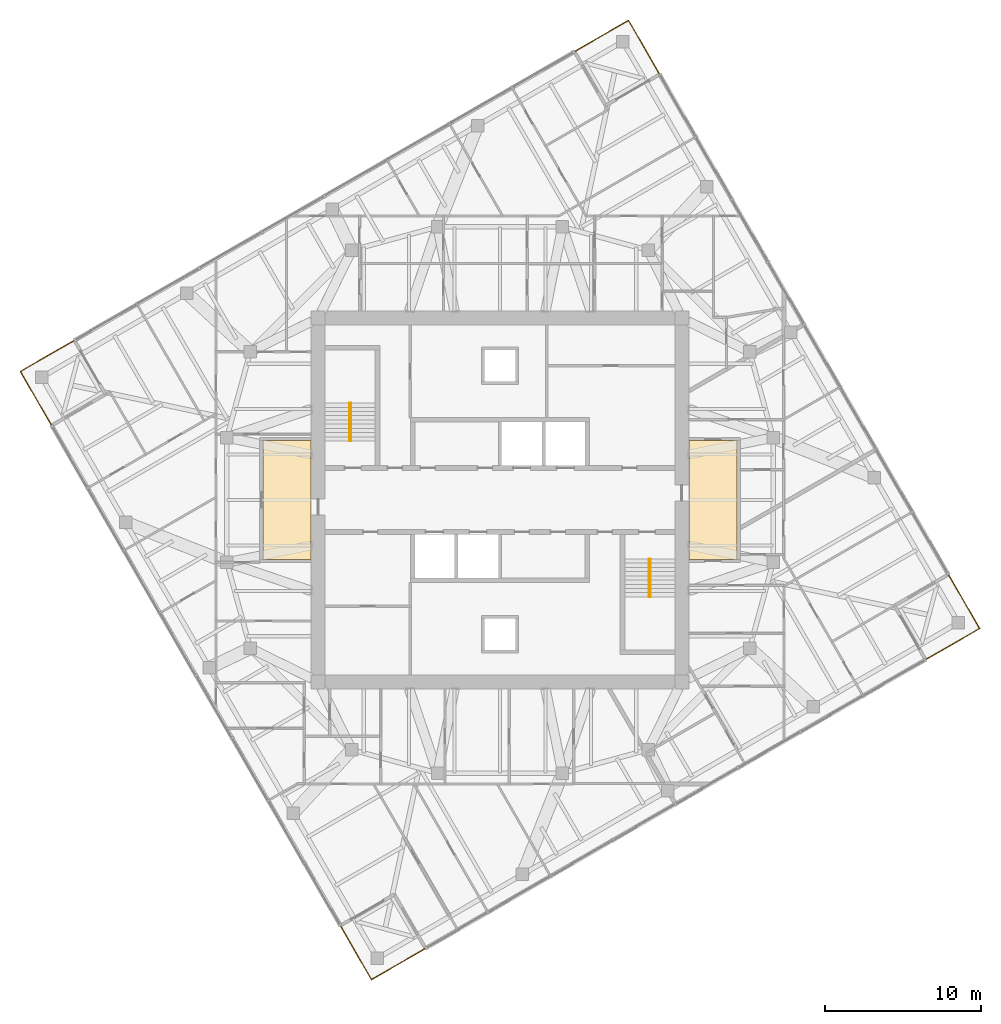
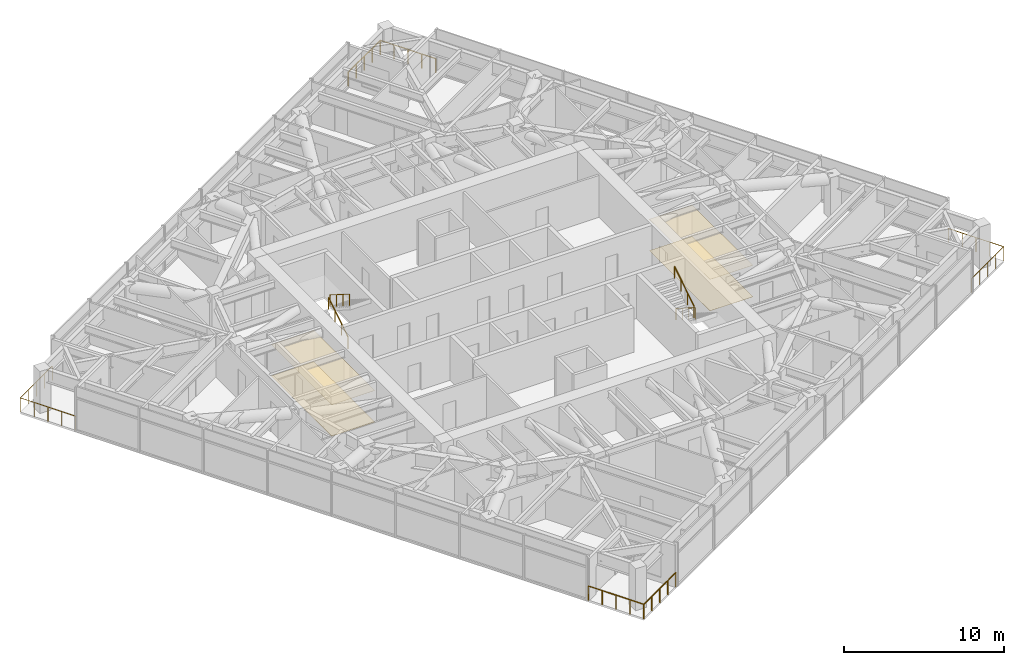
# One storey, part 16 of 16: 8 railings, 4 coverings, 2 elements without a shape of their own.
"""IFC4 building model written with IfcOpenShell, lengths in metres."""

from ifc_helpers import new_model, si_unit, direction, frame, origin, origin_2d, place, context, subcontext, project, spatial, polyline, circle, outline, extrude, material, layer, layer_set, type_object, element, aggregate, save


model = new_model("IFC4")

# Units and contexts
model_context = context("Model", 3, precision=1e-05, world=origin(), true_north=direction((0.0, 1.0)))
body_context = subcontext(model_context, "Body", "Model", "MODEL_VIEW")
ifc_project = project(units=[si_unit("LENGTHUNIT", "METRE"), si_unit("AREAUNIT", "SQUARE_METRE"), si_unit("VOLUMEUNIT", "CUBIC_METRE"), si_unit("PLANEANGLEUNIT", "RADIAN"), si_unit("MASSUNIT", "GRAM", prefix="KILO")], contexts=[model_context])

# Site, building, storey
site_placement = place(None, origin())
site = spatial("IfcSite", under=ifc_project, at=site_placement, CompositionType="ELEMENT")
building_placement = place(site_placement, origin())
building = spatial("IfcBuilding", under=site, at=building_placement, Name="Torsade Residences", CompositionType="ELEMENT")
storey_placement = place(building_placement, frame((0.0, 0.0, 232.0)))
storey = spatial("IfcBuildingStorey", under=building, at=storey_placement, Name="L64", CompositionType="ELEMENT", Elevation=232.0)

# Coverings
ifc_material_1 = material(Name="Nylon carpet tile on underlay", Category="textile")
ifc_layer_1 = layer(ifc_material_1, 0.010009765625)
ifc_layer_set_1 = layer_set([ifc_layer_1], Name="Nylon carpet tile on underlay")
covering_type_1 = type_object("IfcCoveringType", Name="CORRIDOR CARPET TILE 10", PredefinedType="FLOORING", material=ifc_layer_set_1)
covering_1_placement = place(storey_placement, origin())
element("IfcCovering", 1, at=covering_1_placement, inside=storey, type_object=covering_type_1, Name="Corridor carpet L64", PredefinedType="FLOORING", context=body_context, shape_type="SweptSolid", body=[
    extrude(outline(polyline([(55.199951171875, 26.199951171875), (55.199951171875, 33.800048828125), (52.10009765625, 33.800048828125), (52.10009765625, 26.199951171875), (55.199951171875, 26.199951171875)])), origin(), (0.0, 0.0, 1.0), 0.010009765625),
])
covering_2_placement = place(storey_placement, origin())
element("IfcCovering", 2, at=covering_2_placement, inside=storey, type_object=covering_type_1, Name="Corridor carpet west L64", PredefinedType="FLOORING", context=body_context, shape_type="SweptSolid", body=[
    extrude(outline(polyline([(27.89990234375, 26.199951171875), (27.89990234375, 33.800048828125), (24.800048828125, 33.800048828125), (24.800048828125, 26.199951171875), (27.89990234375, 26.199951171875)])), origin(), (0.0, 0.0, 1.0), 0.010009765625),
])
ifc_material_2 = material(Name="Plasterboard on suspended steel grid", Category="steel")
ifc_layer_2 = layer(ifc_material_2, 0.012939453125)
ifc_layer_set_2 = layer_set([ifc_layer_2], Name="Plasterboard on suspended steel grid")
covering_type_2 = type_object("IfcCoveringType", Name="CORRIDOR SUSPENDED CEILING 13", PredefinedType="CEILING", material=ifc_layer_set_2)
covering_3_placement = place(storey_placement, frame((0.0, 0.0, 2.39990234375)))
element("IfcCovering", 3, at=covering_3_placement, inside=storey, type_object=covering_type_2, Name="Corridor ceiling L64", PredefinedType="CEILING", context=body_context, shape_type="SweptSolid", body=[
    extrude(outline(polyline([(55.199951171875, 26.199951171875), (55.199951171875, 33.800048828125), (52.10009765625, 33.800048828125), (52.10009765625, 26.199951171875), (55.199951171875, 26.199951171875)])), origin(), (0.0, 0.0, 1.0), 0.01318359375),
])
covering_4_placement = place(storey_placement, frame((0.0, 0.0, 2.39990234375)))
element("IfcCovering", 4, at=covering_4_placement, inside=storey, type_object=covering_type_2, Name="Corridor ceiling west L64", PredefinedType="CEILING", context=body_context, shape_type="SweptSolid", body=[
    extrude(outline(polyline([(27.89990234375, 26.199951171875), (27.89990234375, 33.800048828125), (24.800048828125, 33.800048828125), (24.800048828125, 26.199951171875), (27.89990234375, 26.199951171875)])), origin(), (0.0, 0.0, 1.0), 0.01318359375),
])

# Stair, railings
ifc_material_3 = material(Name="Precast concrete 40 MPa", Category="concrete")
stair_type = type_object("IfcStairType", Name="HALF-TURN FIRE STAIR 1500x3400", PredefinedType="HALF_TURN_STAIR", material=ifc_material_3)
stair_1_placement = place(storey_placement, origin())
stair_1 = element("IfcStair", 5, at=stair_1_placement, inside=storey, type_object=stair_type, Name="Stair ST1 L64", PredefinedType="HALF_TURN_STAIR")
ifc_material_4 = material(Name="Steel handrail", Category="steel")
railing_type_1 = type_object("IfcRailingType", Name="STAIR HANDRAIL 900", PredefinedType="HANDRAIL", material=ifc_material_4)
railing_1_placement = place(storey_placement, frame((30.35009765625, 33.780029296875, 0.169921875)))
railing_1 = element("IfcRailing", 6, at=railing_1_placement, type_object=railing_type_1, Name="Handrail ST1 flight 1 L64", PredefinedType="HANDRAIL", context=body_context, shape_type="SweptSolid", body=[
    extrude(circle(Radius=0.02392578125, at=origin_2d()), frame((0.0, 0.0, 0.8759765625), z_axis=(0.0, 0.846221481393, 0.532831309544), x_axis=(-1.0, 0.0, 0.0)), (0.0, 0.0, 1.0), 2.87158203125),
    extrude(circle(Radius=0.02099609375, at=origin_2d()), origin(), (0.0, 0.0, 1.0), 0.851806640625),
    extrude(circle(Radius=0.02099609375, at=origin_2d()), frame((0.0, 0.81005859375, 0.510009765625)), (0.0, 0.0, 1.0), 0.851806640625),
    extrude(circle(Radius=0.02099609375, at=origin_2d()), frame((0.0, 1.619873046875, 1.02001953125)), (0.0, 0.0, 1.0), 0.851806640625),
    extrude(circle(Radius=0.02099609375, at=origin_2d()), frame((0.0, 2.429931640625, 1.530029296875)), (0.0, 0.0, 1.0), 0.851806640625),
])
railing_2_placement = place(storey_placement, frame((30.449951171875, 36.2099609375, 1.8701171875)))
railing_2 = element("IfcRailing", 7, at=railing_2_placement, type_object=railing_type_1, Name="Handrail ST1 flight 2 L64", PredefinedType="HANDRAIL", context=body_context, shape_type="SweptSolid", body=[
    extrude(circle(Radius=0.02392578125, at=origin_2d()), frame((0.0, 0.0, 0.8759765625), z_axis=(0.0, -0.846259816676, 0.532770422113), x_axis=(1.0, 0.0, 0.0)), (0.0, 0.0, 1.0), 2.871337890625),
    extrude(circle(Radius=0.02099609375, at=origin_2d()), origin(), (0.0, 0.0, 1.0), 0.851806640625),
    extrude(circle(Radius=0.02099609375, at=origin_2d()), frame((0.0, -0.81005859375, 0.510009765625)), (0.0, 0.0, 1.0), 0.851806640625),
    extrude(circle(Radius=0.02099609375, at=origin_2d()), frame((0.0, -1.619873046875, 1.019775390625)), (0.0, 0.0, 1.0), 0.851806640625),
    extrude(circle(Radius=0.02099609375, at=origin_2d()), frame((0.0, -2.429931640625, 1.52978515625)), (0.0, 0.0, 1.0), 0.851806640625),
])
aggregate(stair_1, [railing_1, railing_2])

stair_2_placement = place(storey_placement, origin())
stair_2 = element("IfcStair", 8, at=stair_2_placement, inside=storey, type_object=stair_type, Name="Stair ST2 L64", PredefinedType="HALF_TURN_STAIR")
railing_3_placement = place(storey_placement, frame((49.64990234375, 26.219970703125, 0.169921875)))
railing_3 = element("IfcRailing", 9, at=railing_3_placement, type_object=railing_type_1, Name="Handrail ST2 flight 1 L64", PredefinedType="HANDRAIL", context=body_context, shape_type="SweptSolid", body=[
    extrude(circle(Radius=0.02392578125, at=origin_2d()), frame((0.0, 0.0, 0.8759765625), z_axis=(0.0, -0.846221481393, 0.532831309544), x_axis=(1.0, 0.0, 0.0)), (0.0, 0.0, 1.0), 2.87158203125),
    extrude(circle(Radius=0.02099609375, at=origin_2d()), origin(), (0.0, 0.0, 1.0), 0.851806640625),
    extrude(circle(Radius=0.02099609375, at=origin_2d()), frame((0.0, -0.81005859375, 0.510009765625)), (0.0, 0.0, 1.0), 0.851806640625),
    extrude(circle(Radius=0.02099609375, at=origin_2d()), frame((0.0, -1.619873046875, 1.02001953125)), (0.0, 0.0, 1.0), 0.851806640625),
    extrude(circle(Radius=0.02099609375, at=origin_2d()), frame((0.0, -2.429931640625, 1.530029296875)), (0.0, 0.0, 1.0), 0.851806640625),
])
railing_4_placement = place(storey_placement, frame((49.550048828125, 23.7900390625, 1.8701171875)))
railing_4 = element("IfcRailing", 10, at=railing_4_placement, type_object=railing_type_1, Name="Handrail ST2 flight 2 L64", PredefinedType="HANDRAIL", context=body_context, shape_type="SweptSolid", body=[
    extrude(circle(Radius=0.02392578125, at=origin_2d()), frame((0.0, 0.0, 0.8759765625), z_axis=(0.0, 0.846259816676, 0.532770422113), x_axis=(-1.0, 0.0, 0.0)), (0.0, 0.0, 1.0), 2.871337890625),
    extrude(circle(Radius=0.02099609375, at=origin_2d()), origin(), (0.0, 0.0, 1.0), 0.851806640625),
    extrude(circle(Radius=0.02099609375, at=origin_2d()), frame((0.0, 0.81005859375, 0.510009765625)), (0.0, 0.0, 1.0), 0.851806640625),
    extrude(circle(Radius=0.02099609375, at=origin_2d()), frame((0.0, 1.619873046875, 1.019775390625)), (0.0, 0.0, 1.0), 0.851806640625),
    extrude(circle(Radius=0.02099609375, at=origin_2d()), frame((0.0, 2.429931640625, 1.52978515625)), (0.0, 0.0, 1.0), 0.851806640625),
])
aggregate(stair_2, [railing_3, railing_4])

# Railings
ifc_material_5 = material(Name="Laminated glass balustrade", Category="glass")
railing_type_2 = type_object("IfcRailingType", Name="TERRACE GLASS BALUSTRADE 1100", PredefinedType="BALUSTRADE", material=ifc_material_5)
railing_5_placement = place(storey_placement, frame((67.271484375, 19.764404296875, 0.0)))
element("IfcRailing", 11, at=railing_5_placement, inside=storey, type_object=railing_type_2, Name="Terrace balustrade SE L64", PredefinedType="BALUSTRADE", context=body_context, shape_type="SweptSolid", body=[
    extrude(circle(Radius=0.02392578125, at=origin_2d()), frame((0.0, 0.0, 1.076171875), z_axis=(0.866026010844, 0.49999894854, 0.0), x_axis=(-0.49999894854, 0.866026010844, 0.0)), (0.0, 0.0, 1.0), 4.0),
    extrude(circle(Radius=0.02392578125, at=origin_2d()), frame((3.464111328125, 2.0, 1.076171875), z_axis=(-0.49999894854, 0.866026010844, 0.0), x_axis=(-0.866026010844, -0.49999894854, 0.0)), (0.0, 0.0, 1.0), 4.0),
    extrude(circle(Radius=0.02099609375, at=origin_2d()), origin(), (0.0, 0.0, 1.0), 1.052001953125),
    extrude(circle(Radius=0.02099609375, at=origin_2d()), frame((0.865966796875, 0.5, 0.0)), (0.0, 0.0, 1.0), 1.052001953125),
    extrude(circle(Radius=0.02099609375, at=origin_2d()), frame((1.73193359375, 1.0, 0.0)), (0.0, 0.0, 1.0), 1.052001953125),
    extrude(circle(Radius=0.02099609375, at=origin_2d()), frame((2.59814453125, 1.5, 0.0)), (0.0, 0.0, 1.0), 1.052001953125),
    extrude(circle(Radius=0.02099609375, at=origin_2d()), frame((3.464111328125, 2.0, 0.0)), (0.0, 0.0, 1.0), 1.052001953125),
    extrude(circle(Radius=0.02099609375, at=origin_2d()), frame((2.964111328125, 2.865966796875, 0.0)), (0.0, 0.0, 1.0), 1.052001953125),
    extrude(circle(Radius=0.02099609375, at=origin_2d()), frame((2.464111328125, 3.73193359375, 0.0)), (0.0, 0.0, 1.0), 1.052001953125),
    extrude(circle(Radius=0.02099609375, at=origin_2d()), frame((1.964111328125, 4.59814453125, 0.0)), (0.0, 0.0, 1.0), 1.052001953125),
    extrude(circle(Radius=0.02099609375, at=origin_2d()), frame((1.464111328125, 5.464111328125, 0.0)), (0.0, 0.0, 1.0), 1.052001953125),
])
railing_6_placement = place(storey_placement, frame((50.235595703125, 57.271484375, 0.0)))
element("IfcRailing", 12, at=railing_6_placement, inside=storey, type_object=railing_type_2, Name="Terrace balustrade NE L64", PredefinedType="BALUSTRADE", context=body_context, shape_type="SweptSolid", body=[
    extrude(circle(Radius=0.02392578125, at=origin_2d()), frame((0.0, 0.0, 1.076171875), z_axis=(-0.49999894854, 0.866026010844, 0.0), x_axis=(-0.866026010844, -0.49999894854, 0.0)), (0.0, 0.0, 1.0), 4.0),
    extrude(circle(Radius=0.02392578125, at=origin_2d()), frame((-2.0, 3.464111328125, 1.076171875), z_axis=(-0.866026010844, -0.49999894854, 0.0), x_axis=(0.49999894854, -0.866026010844, 0.0)), (0.0, 0.0, 1.0), 4.0),
    extrude(circle(Radius=0.02099609375, at=origin_2d()), origin(), (0.0, 0.0, 1.0), 1.052001953125),
    extrude(circle(Radius=0.02099609375, at=origin_2d()), frame((-0.5, 0.865966796875, 0.0)), (0.0, 0.0, 1.0), 1.052001953125),
    extrude(circle(Radius=0.02099609375, at=origin_2d()), frame((-1.0, 1.73193359375, 0.0)), (0.0, 0.0, 1.0), 1.052001953125),
    extrude(circle(Radius=0.02099609375, at=origin_2d()), frame((-1.5, 2.59814453125, 0.0)), (0.0, 0.0, 1.0), 1.052001953125),
    extrude(circle(Radius=0.02099609375, at=origin_2d()), frame((-2.0, 3.464111328125, 0.0)), (0.0, 0.0, 1.0), 1.052001953125),
    extrude(circle(Radius=0.02099609375, at=origin_2d()), frame((-2.865966796875, 2.964111328125, 0.0)), (0.0, 0.0, 1.0), 1.052001953125),
    extrude(circle(Radius=0.02099609375, at=origin_2d()), frame((-3.73193359375, 2.464111328125, 0.0)), (0.0, 0.0, 1.0), 1.052001953125),
    extrude(circle(Radius=0.02099609375, at=origin_2d()), frame((-4.59814453125, 1.964111328125, 0.0)), (0.0, 0.0, 1.0), 1.052001953125),
    extrude(circle(Radius=0.02099609375, at=origin_2d()), frame((-5.464111328125, 1.464111328125, 0.0)), (0.0, 0.0, 1.0), 1.052001953125),
])
railing_7_placement = place(storey_placement, frame((12.728515625, 40.235595703125, 0.0)))
element("IfcRailing", 13, at=railing_7_placement, inside=storey, type_object=railing_type_2, Name="Terrace balustrade NW L64", PredefinedType="BALUSTRADE", context=body_context, shape_type="SweptSolid", body=[
    extrude(circle(Radius=0.02392578125, at=origin_2d()), frame((0.0, 0.0, 1.076171875), z_axis=(-0.866026010844, -0.49999894854, 0.0), x_axis=(0.49999894854, -0.866026010844, 0.0)), (0.0, 0.0, 1.0), 4.0),
    extrude(circle(Radius=0.02392578125, at=origin_2d()), frame((-3.464111328125, -2.0, 1.076171875), z_axis=(0.49999894854, -0.866026010844, 0.0), x_axis=(0.866026010844, 0.49999894854, 0.0)), (0.0, 0.0, 1.0), 4.0),
    extrude(circle(Radius=0.02099609375, at=origin_2d()), origin(), (0.0, 0.0, 1.0), 1.052001953125),
    extrude(circle(Radius=0.02099609375, at=origin_2d()), frame((-0.865966796875, -0.5, 0.0)), (0.0, 0.0, 1.0), 1.052001953125),
    extrude(circle(Radius=0.02099609375, at=origin_2d()), frame((-1.73193359375, -1.0, 0.0)), (0.0, 0.0, 1.0), 1.052001953125),
    extrude(circle(Radius=0.02099609375, at=origin_2d()), frame((-2.59814453125, -1.5, 0.0)), (0.0, 0.0, 1.0), 1.052001953125),
    extrude(circle(Radius=0.02099609375, at=origin_2d()), frame((-3.464111328125, -2.0, 0.0)), (0.0, 0.0, 1.0), 1.052001953125),
    extrude(circle(Radius=0.02099609375, at=origin_2d()), frame((-2.964111328125, -2.865966796875, 0.0)), (0.0, 0.0, 1.0), 1.052001953125),
    extrude(circle(Radius=0.02099609375, at=origin_2d()), frame((-2.464111328125, -3.73193359375, 0.0)), (0.0, 0.0, 1.0), 1.052001953125),
    extrude(circle(Radius=0.02099609375, at=origin_2d()), frame((-1.964111328125, -4.59814453125, 0.0)), (0.0, 0.0, 1.0), 1.052001953125),
    extrude(circle(Radius=0.02099609375, at=origin_2d()), frame((-1.464111328125, -5.464111328125, 0.0)), (0.0, 0.0, 1.0), 1.052001953125),
])
railing_8_placement = place(storey_placement, frame((29.764404296875, 2.728515625, 0.0)))
element("IfcRailing", 14, at=railing_8_placement, inside=storey, type_object=railing_type_2, Name="Terrace balustrade SW L64", PredefinedType="BALUSTRADE", context=body_context, shape_type="SweptSolid", body=[
    extrude(circle(Radius=0.02392578125, at=origin_2d()), frame((0.0, 0.0, 1.076171875), z_axis=(0.49999894854, -0.866026010844, 0.0), x_axis=(0.866026010844, 0.49999894854, 0.0)), (0.0, 0.0, 1.0), 4.0),
    extrude(circle(Radius=0.02392578125, at=origin_2d()), frame((2.0, -3.464111328125, 1.076171875), z_axis=(0.866026010844, 0.49999894854, 0.0), x_axis=(-0.49999894854, 0.866026010844, 0.0)), (0.0, 0.0, 1.0), 4.0),
    extrude(circle(Radius=0.02099609375, at=origin_2d()), origin(), (0.0, 0.0, 1.0), 1.052001953125),
    extrude(circle(Radius=0.02099609375, at=origin_2d()), frame((0.5, -0.865966796875, 0.0)), (0.0, 0.0, 1.0), 1.052001953125),
    extrude(circle(Radius=0.02099609375, at=origin_2d()), frame((1.0, -1.73193359375, 0.0)), (0.0, 0.0, 1.0), 1.052001953125),
    extrude(circle(Radius=0.02099609375, at=origin_2d()), frame((1.5, -2.59814453125, 0.0)), (0.0, 0.0, 1.0), 1.052001953125),
    extrude(circle(Radius=0.02099609375, at=origin_2d()), frame((2.0, -3.464111328125, 0.0)), (0.0, 0.0, 1.0), 1.052001953125),
    extrude(circle(Radius=0.02099609375, at=origin_2d()), frame((2.865966796875, -2.964111328125, 0.0)), (0.0, 0.0, 1.0), 1.052001953125),
    extrude(circle(Radius=0.02099609375, at=origin_2d()), frame((3.73193359375, -2.464111328125, 0.0)), (0.0, 0.0, 1.0), 1.052001953125),
    extrude(circle(Radius=0.02099609375, at=origin_2d()), frame((4.59814453125, -1.964111328125, 0.0)), (0.0, 0.0, 1.0), 1.052001953125),
    extrude(circle(Radius=0.02099609375, at=origin_2d()), frame((5.464111328125, -1.464111328125, 0.0)), (0.0, 0.0, 1.0), 1.052001953125),
])

save(model, "model.ifc")
